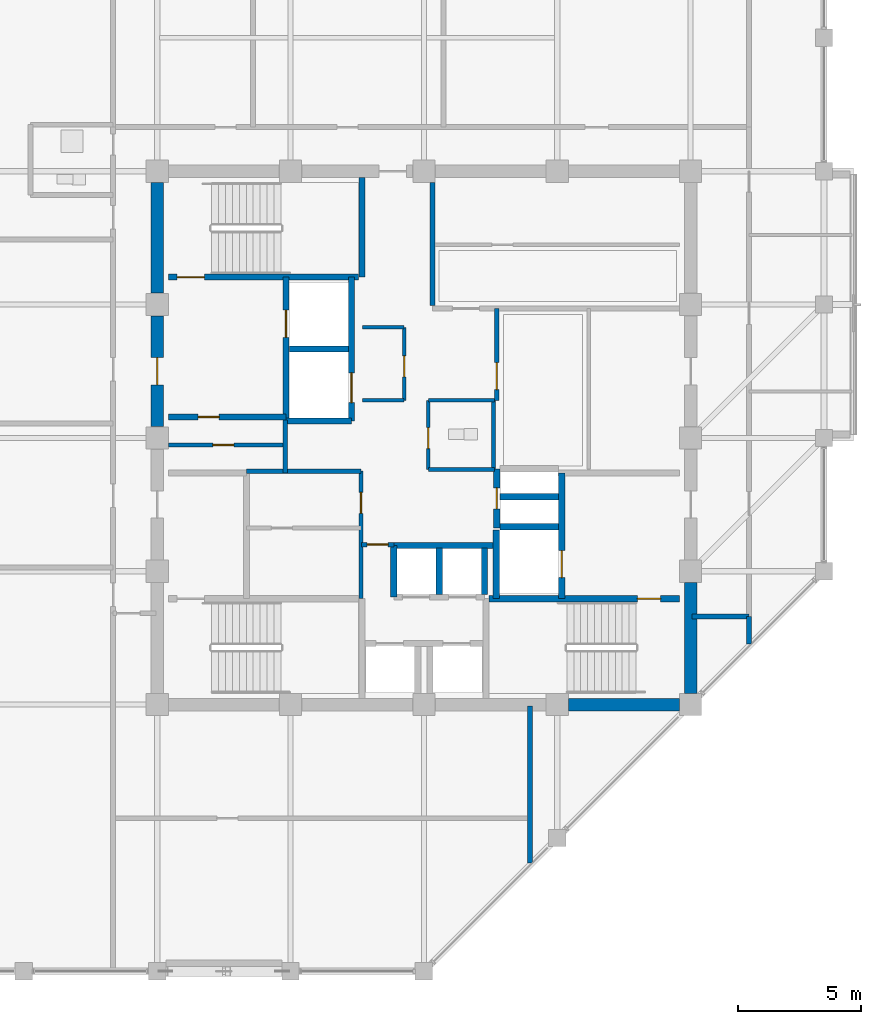
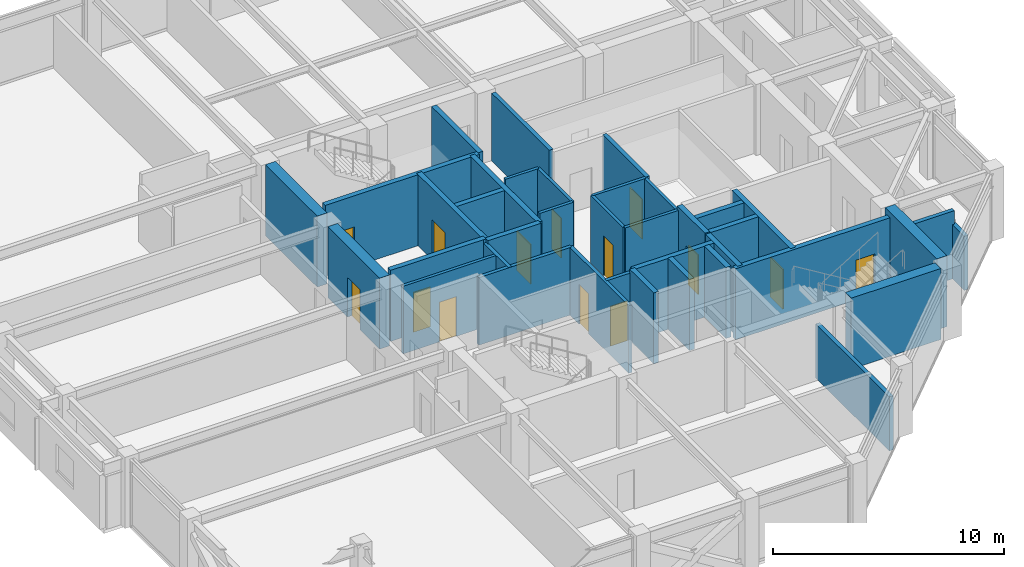
# One storey, part 24 of 29: 38 walls, 14 doors, 14 openings.
"""IFC4 building model written with IfcOpenShell, lengths in metres."""

from ifc_helpers import new_model, si_unit, direction, frame, frame_2d, origin, place, context, subcontext, project, spatial, rectangle, extrude, material, layer, layer_set, type_object, element, fill, save


model = new_model("IFC4")

# Units and contexts
model_context = context("Model", 3, precision=1e-05, world=origin(), true_north=direction((0.0, 1.0)))
body_context = subcontext(model_context, "Body", "Model", "MODEL_VIEW")
ifc_project = project(units=[si_unit("LENGTHUNIT", "METRE"), si_unit("AREAUNIT", "SQUARE_METRE"), si_unit("VOLUMEUNIT", "CUBIC_METRE"), si_unit("PLANEANGLEUNIT", "RADIAN"), si_unit("MASSUNIT", "GRAM", prefix="KILO")], contexts=[model_context])

# Site, building, storey
site_placement = place(None, origin())
site = spatial("IfcSite", under=ifc_project, at=site_placement, CompositionType="ELEMENT")
building_placement = place(site_placement, origin())
building = spatial("IfcBuilding", under=site, at=building_placement, Name="Surkhivell Harbour Commons", CompositionType="ELEMENT")
storey_placement = place(building_placement, frame((0.0, 0.0, 277.5)))
storey = spatial("IfcBuildingStorey", under=building, at=storey_placement, Name="L72", CompositionType="ELEMENT", Elevation=277.5)

# Wall
ifc_material_1 = material(Name="Concrete C50/60", Category="concrete")
ifc_layer_1 = layer(ifc_material_1, 0.5)
ifc_layer_set_1 = layer_set([ifc_layer_1], Name="Concrete C50/60")
wall_type_1 = type_object("IfcWallType", Name="WAL-CORE-500", PredefinedType="SHEAR", material=ifc_layer_set_1)
wall_1_placement = place(storey_placement, frame((10.800048828125, -10.340087890625, 0.0), z_axis=(0.0, 0.0, 1.0), x_axis=(0.0, 1.0, 0.0)))
element("IfcWall", 1, at=wall_1_placement, inside=storey, type_object=wall_type_1, Name="L72 Core Shear Wall East 1", PredefinedType="SHEAR", context=body_context, shape_type="SweptSolid", body=[
    extrude(rectangle(XDim=4.47998046875, YDim=0.5, at=frame_2d((2.239990234375, 0.0))), origin(), (0.0, 0.0, 1.0), 3.75),
])

# Wall, opening, door
wall_2_placement = place(storey_placement, frame((-10.800048828125, 0.4599609375, 0.0), z_axis=(0.0, 0.0, 1.0), x_axis=(0.0, 1.0, 0.0)))
wall_2 = element("IfcWall", 2, at=wall_2_placement, inside=storey, type_object=wall_type_1, Name="L72 Core Shear Wall West 3", PredefinedType="SHEAR", context=body_context, shape_type="SweptSolid", body=[
    extrude(rectangle(XDim=4.47998046875, YDim=0.5, at=frame_2d((2.239990234375, 0.0))), origin(), (0.0, 0.0, 1.0), 3.75),
])
opening_1_placement = place(wall_2_placement, frame((1.68994140625, 0.0, 0.0)))
opening_1 = element("IfcOpeningElement", 3, at=opening_1_placement, cuts=wall_2, Name="Opening ID-1", PredefinedType="OPENING", context=body_context, shape_type="SweptSolid", body=[
    extrude(rectangle(XDim=1.10009765625, YDim=2.10009765625, at=frame_2d((0.550048828125, 1.050048828125))), frame((0.0, 0.260009765625, 0.0), z_axis=(0.0, -1.0, 0.0), x_axis=(1.0, 0.0, 0.0)), (0.0, 0.0, 1.0), 0.52001953125),
])
ifc_material_2 = material(Name="Hardwood-veneered fire-rated door leaf", Category="wood")
door_type_1 = type_object("IfcDoorType", Name="DOR-FD120-1100", OperationType="NOTDEFINED", PredefinedType="DOOR", material=ifc_material_2)
door_1_placement = place(opening_1_placement, origin())
door_1 = element("IfcDoor", 4, at=door_1_placement, inside=storey, type_object=door_type_1, Name="L72 Firefighting Lobby 1 Corridor Door", OperationType="SINGLE_SWING_LEFT", OverallHeight=2.10009765625, OverallWidth=1.10009765625, PredefinedType="DOOR", context=body_context, shape_type="SweptSolid", body=[
    extrude(rectangle(XDim=1.10009765625, YDim=2.10009765625, at=frame_2d((0.550048828125, 1.050048828125))), frame((0.0, 0.02490234375, 0.0), z_axis=(0.0, -1.0, 0.0), x_axis=(1.0, 0.0, 0.0)), (0.0, 0.0, 1.0), 0.050048828125),
])
fill(opening_1, door_1)

# Walls
for number, where, z_axis, x_axis, name in (
    (5, (5.860107421875, -10.800048828125, 0.0), (0.0, 0.0, 1.0), (1.0, 0.0, 0.0), "L72 Core Shear Wall South 4"),
    (6, (-10.800048828125, 5.860107421875, 0.0), (0.0, 0.0, 1.0), (0.0, 1.0, 0.0), "L72 Core Shear Wall West 4"),
):
    element("IfcWall", number, at=place(storey_placement, frame(where, z_axis=z_axis, x_axis=x_axis)), inside=storey, type_object=wall_type_1, Name=name, PredefinedType="SHEAR", context=body_context, shape_type="SweptSolid", body=[
        extrude(rectangle(XDim=4.47998046875, YDim=0.5, at=frame_2d((2.239990234375, 0.0))), origin(), (0.0, 0.0, 1.0), 3.75),
    ])
ifc_material_3 = material(Name="Twin-stud acoustic fireboard partition", Category="other")
ifc_layer_2 = layer(ifc_material_3, 0.14990234375)
ifc_layer_set_2 = layer_set([ifc_layer_2], Name="Twin-stud acoustic fireboard partition")
wall_type_2 = type_object("IfcWallType", Name="WAL-INT-150", PredefinedType="PARTITIONING", material=ifc_layer_set_2)
wall_3_placement = place(storey_placement, frame((2.820068359375, -1.25, 0.0), z_axis=(0.0, 0.0, 1.0), x_axis=(0.0, 1.0, 0.0)))
element("IfcWall", 7, at=wall_3_placement, inside=storey, type_object=wall_type_2, Name="L72 Core WC East Wall", PredefinedType="PARTITIONING", context=body_context, shape_type="SweptSolid", body=[
    extrude(rectangle(XDim=2.77001953125, YDim=0.14990234375, at=frame_2d((1.385009765625, 0.0))), origin(), (0.0, 0.0, 1.0), 3.570068359375),
])
for number, where, z_axis, x_axis, name in (
    (8, (0.179931640625, 1.52001953125, 0.0), (0.0, 0.0, 1.0), (1.0, 0.0, 0.0), "L72 Core WC North Wall"),
    (9, (0.179931640625, -1.280029296875, 0.0), (0.0, 0.0, 1.0), (1.0, 0.0, 0.0), "L72 Core WC South Wall"),
):
    element("IfcWall", number, at=place(storey_placement, frame(where, z_axis=z_axis, x_axis=x_axis)), inside=storey, type_object=wall_type_2, Name=name, PredefinedType="PARTITIONING", context=body_context, shape_type="SweptSolid", body=[
        extrude(rectangle(XDim=2.670166015625, YDim=0.14990234375, at=frame_2d((1.3349609375, 0.0))), origin(), (0.0, 0.0, 1.0), 3.570068359375),
    ])

# Wall, opening, door
wall_4_placement = place(storey_placement, frame((0.179931640625, -1.280029296875, 0.0), z_axis=(0.0, 0.0, 1.0), x_axis=(0.0, 1.0, 0.0)))
wall_4 = element("IfcWall", 10, at=wall_4_placement, inside=storey, type_object=wall_type_2, Name="L72 Core Accessible WC West Wall", PredefinedType="PARTITIONING", context=body_context, shape_type="SweptSolid", body=[
    extrude(rectangle(XDim=2.800048828125, YDim=0.14990234375, at=frame_2d((1.39990234375, 0.0))), origin(), (0.0, 0.0, 1.0), 3.570068359375),
])
opening_2_placement = place(wall_4_placement, frame((0.85009765625, 0.0, 0.0)))
opening_2 = element("IfcOpeningElement", 11, at=opening_2_placement, cuts=wall_4, Name="Opening ID-6", PredefinedType="OPENING", context=body_context, shape_type="SweptSolid", body=[
    extrude(rectangle(XDim=0.85009765625, YDim=2.10009765625, at=frame_2d((0.425048828125, 1.050048828125))), frame((0.0, 0.0849609375, 0.0), z_axis=(0.0, -1.0, 0.0), x_axis=(1.0, 0.0, 0.0)), (0.0, 0.0, 1.0), 0.169921875),
])
door_type_2 = type_object("IfcDoorType", Name="DOR-FD30-850", OperationType="NOTDEFINED", PredefinedType="DOOR", material=ifc_material_2)
door_2_placement = place(opening_2_placement, origin())
door_2 = element("IfcDoor", 12, at=door_2_placement, inside=storey, type_object=door_type_2, Name="L72 Floor Accessible WC Door", OperationType="SINGLE_SWING_RIGHT", OverallHeight=2.10009765625, OverallWidth=0.85009765625, PredefinedType="DOOR", context=body_context, shape_type="SweptSolid", body=[
    extrude(rectangle(XDim=0.85009765625, YDim=2.10009765625, at=frame_2d((0.425048828125, 1.050048828125))), frame((0.0, 0.02490234375, 0.0), z_axis=(0.0, -1.0, 0.0), x_axis=(1.0, 0.0, 0.0)), (0.0, 0.0, 1.0), 0.050048828125),
])
fill(opening_2, door_2)

wall_5_placement = place(storey_placement, frame((-10.340087890625, -0.2900390625, 0.0), z_axis=(0.0, 0.0, 1.0), x_axis=(1.0, 0.0, 0.0)))
wall_5 = element("IfcWall", 13, at=wall_5_placement, inside=storey, type_object=wall_type_2, Name="L72 West Core Horizontal Cut", PredefinedType="PARTITIONING", context=body_context, shape_type="SweptSolid", body=[
    extrude(rectangle(XDim=4.719970703125, YDim=0.14990234375, at=frame_2d((2.35986328125, 0.0))), origin(), (0.0, 0.0, 1.0), 3.570068359375),
])
opening_3_placement = place(wall_5_placement, frame((1.800048828125, 0.0, 0.0)))
opening_3 = element("IfcOpeningElement", 14, at=opening_3_placement, cuts=wall_5, Name="Opening ID-6", PredefinedType="OPENING", context=body_context, shape_type="SweptSolid", body=[
    extrude(rectangle(XDim=0.85009765625, YDim=2.10009765625, at=frame_2d((0.425048828125, 1.050048828125))), frame((0.0, 0.0849609375, 0.0), z_axis=(0.0, -1.0, 0.0), x_axis=(1.0, 0.0, 0.0)), (0.0, 0.0, 1.0), 0.169921875),
])
door_3_placement = place(opening_3_placement, origin())
door_3 = element("IfcDoor", 15, at=door_3_placement, inside=storey, type_object=door_type_2, Name="L72 West Music Pod Door", OperationType="SINGLE_SWING_RIGHT", OverallHeight=2.10009765625, OverallWidth=0.85009765625, PredefinedType="DOOR", context=body_context, shape_type="SweptSolid", body=[
    extrude(rectangle(XDim=0.85009765625, YDim=2.10009765625, at=frame_2d((0.425048828125, 1.050048828125))), frame((0.0, 0.02490234375, 0.0), z_axis=(0.0, -1.0, 0.0), x_axis=(1.0, 0.0, 0.0)), (0.0, 0.0, 1.0), 0.050048828125),
])
fill(opening_3, door_3)

wall_6_placement = place(storey_placement, frame((-0.800048828125, 1.52001953125, 0.0), z_axis=(0.0, 0.0, 1.0), x_axis=(0.0, 1.0, 0.0)))
wall_6 = element("IfcWall", 16, at=wall_6_placement, inside=storey, type_object=wall_type_2, Name="L72 Core Seminar East Wall", PredefinedType="PARTITIONING", context=body_context, shape_type="SweptSolid", body=[
    extrude(rectangle(XDim=2.9599609375, YDim=0.14990234375, at=frame_2d((1.47998046875, 0.0))), origin(), (0.0, 0.0, 1.0), 3.570068359375),
])
opening_4_placement = place(wall_6_placement, frame((0.949951171875, 0.0, 0.0)))
opening_4 = element("IfcOpeningElement", 17, at=opening_4_placement, cuts=wall_6, Name="Opening ID-6", PredefinedType="OPENING", context=body_context, shape_type="SweptSolid", body=[
    extrude(rectangle(XDim=0.85009765625, YDim=2.10009765625, at=frame_2d((0.425048828125, 1.050048828125))), frame((0.0, 0.0849609375, 0.0), z_axis=(0.0, -1.0, 0.0), x_axis=(1.0, 0.0, 0.0)), (0.0, 0.0, 1.0), 0.169921875),
])
door_4_placement = place(opening_4_placement, origin())
door_4 = element("IfcDoor", 18, at=door_4_placement, inside=storey, type_object=door_type_2, Name="L72 Central Seminar Door", OperationType="SINGLE_SWING_LEFT", OverallHeight=2.10009765625, OverallWidth=0.85009765625, PredefinedType="DOOR", context=body_context, shape_type="SweptSolid", body=[
    extrude(rectangle(XDim=0.85009765625, YDim=2.10009765625, at=frame_2d((0.425048828125, 1.050048828125))), frame((0.0, 0.02490234375, 0.0), z_axis=(0.0, -1.0, 0.0), x_axis=(1.0, 0.0, 0.0)), (0.0, 0.0, 1.0), 0.050048828125),
])
fill(opening_4, door_4)

# Walls
for number, where, z_axis, x_axis, name in (
    (19, (-2.47998046875, 4.47998046875, 0.0), (0.0, 0.0, 1.0), (1.0, 0.0, 0.0), "L72 Core Seminar North Wall"),
    (20, (-2.47998046875, 1.52001953125, 0.0), (0.0, 0.0, 1.0), (1.0, 0.0, 0.0), "L72 Core Seminar South Wall"),
):
    element("IfcWall", number, at=place(storey_placement, frame(where, z_axis=z_axis, x_axis=x_axis)), inside=storey, type_object=wall_type_2, Name=name, PredefinedType="PARTITIONING", context=body_context, shape_type="SweptSolid", body=[
        extrude(rectangle(XDim=1.679931640625, YDim=0.14990234375, at=frame_2d((0.83984375, 0.0))), origin(), (0.0, 0.0, 1.0), 3.570068359375),
    ])

# Wall, opening, door
ifc_material_4 = material(Name="High-density acoustic blockwork fire partition", Category="masonry")
ifc_layer_3 = layer(ifc_material_4, 0.175048828125)
ifc_layer_set_3 = layer_set([ifc_layer_3], Name="High-density acoustic blockwork fire partition")
wall_type_3 = type_object("IfcWallType", Name="WAL-INT-175", PredefinedType="PARTITIONING", material=ifc_layer_set_3)
wall_7_placement = place(storey_placement, frame((-2.550048828125, -6.510009765625, 0.0), z_axis=(0.0, 0.0, 1.0), x_axis=(0.0, 1.0, 0.0)))
wall_7 = element("IfcWall", 21, at=wall_7_placement, inside=storey, type_object=wall_type_3, Name="L72 Core Service Bay East Wall", PredefinedType="PARTITIONING", context=body_context, shape_type="SweptSolid", body=[
    extrude(rectangle(XDim=5.159912109375, YDim=0.175048828125, at=frame_2d((2.580078125, 0.0))), origin(), (0.0, 0.0, 1.0), 3.570068359375),
])
opening_5_placement = place(wall_7_placement, frame((3.449951171875, 0.0, 0.0)))
opening_5 = element("IfcOpeningElement", 22, at=opening_5_placement, cuts=wall_7, Name="Opening ID-6", PredefinedType="OPENING", context=body_context, shape_type="SweptSolid", body=[
    extrude(rectangle(XDim=0.85009765625, YDim=2.10009765625, at=frame_2d((0.425048828125, 1.050048828125))), frame((0.0, 0.097412109375, 0.0), z_axis=(0.0, -1.0, 0.0), x_axis=(1.0, 0.0, 0.0)), (0.0, 0.0, 1.0), 0.195068359375),
])
door_5_placement = place(opening_5_placement, origin())
door_5 = element("IfcDoor", 23, at=door_5_placement, inside=storey, type_object=door_type_2, Name="L72 Core Seminar Door", OperationType="SINGLE_SWING_LEFT", OverallHeight=2.10009765625, OverallWidth=0.85009765625, PredefinedType="DOOR", context=body_context, shape_type="SweptSolid", body=[
    extrude(rectangle(XDim=0.85009765625, YDim=2.10009765625, at=frame_2d((0.425048828125, 1.050048828125))), frame((0.0, 0.02490234375, 0.0), z_axis=(0.0, -1.0, 0.0), x_axis=(1.0, 0.0, 0.0)), (0.0, 0.0, 1.0), 0.050048828125),
])
fill(opening_5, door_5)

# Walls
wall_8_placement = place(storey_placement, frame((-7.179931640625, -1.35009765625, 0.0), z_axis=(0.0, 0.0, 1.0), x_axis=(1.0, 0.0, 0.0)))
element("IfcWall", 24, at=wall_8_placement, inside=storey, type_object=wall_type_3, Name="L72 Core Service Bay North Wall", PredefinedType="PARTITIONING", context=body_context, shape_type="SweptSolid", body=[
    extrude(rectangle(XDim=4.6298828125, YDim=0.175048828125, at=frame_2d((2.31494140625, 0.0))), origin(), (0.0, 0.0, 1.0), 3.570068359375),
])
wall_9_placement = place(storey_placement, frame((-5.6201171875, -1.419921875, 0.0), z_axis=(0.0, 0.0, 1.0), x_axis=(0.0, 1.0, 0.0)))
element("IfcWall", 25, at=wall_9_placement, inside=storey, type_object=wall_type_3, Name="L72 West Core Bay East Wall", PredefinedType="PARTITIONING", context=body_context, shape_type="SweptSolid", body=[
    extrude(rectangle(XDim=2.139892578125, YDim=0.175048828125, at=frame_2d((1.06982421875, 0.0))), origin(), (0.0, 0.0, 1.0), 3.570068359375),
])

# Wall, opening, door
wall_10_placement = place(storey_placement, frame((-2.52001953125, -4.320068359375, 0.0), z_axis=(0.0, 0.0, 1.0), x_axis=(1.0, 0.0, 0.0)))
wall_10 = element("IfcWall", 26, at=wall_10_placement, inside=storey, type_object=wall_type_3, Name="L72 High-Rise Lobby North Portal Wall", PredefinedType="PARTITIONING", context=body_context, shape_type="SweptSolid", body=[
    extrude(rectangle(XDim=1.300048828125, YDim=0.175048828125, at=frame_2d((0.64990234375, 0.0))), origin(), (0.0, 0.0, 1.0), 3.570068359375),
])
opening_6_placement = place(wall_10_placement, frame((0.219970703125, 0.0, 0.0)))
opening_6 = element("IfcOpeningElement", 27, at=opening_6_placement, cuts=wall_10, Name="Opening ID-6", PredefinedType="OPENING", context=body_context, shape_type="SweptSolid", body=[
    extrude(rectangle(XDim=0.85009765625, YDim=2.10009765625, at=frame_2d((0.425048828125, 1.050048828125))), frame((0.0, 0.097412109375, 0.0), z_axis=(0.0, -1.0, 0.0), x_axis=(1.0, 0.0, 0.0)), (0.0, 0.0, 1.0), 0.195068359375),
])
door_6_placement = place(opening_6_placement, origin())
door_6 = element("IfcDoor", 28, at=door_6_placement, inside=storey, type_object=door_type_2, Name="L72 High-Rise Lift Lobby North Door", OperationType="SINGLE_SWING_LEFT", OverallHeight=2.10009765625, OverallWidth=0.85009765625, PredefinedType="DOOR", context=body_context, shape_type="SweptSolid", body=[
    extrude(rectangle(XDim=0.85009765625, YDim=2.10009765625, at=frame_2d((0.425048828125, 1.050048828125))), frame((0.0, 0.02490234375, 0.0), z_axis=(0.0, -1.0, 0.0), x_axis=(1.0, 0.0, 0.0)), (0.0, 0.0, 1.0), 0.050048828125),
])
fill(opening_6, door_6)

# Walls
ifc_material_5 = material(Name="Autoclaved aerated concrete blockwork and fire plaster", Category="masonry")
ifc_layer_4 = layer(ifc_material_5, 0.199951171875)
ifc_layer_set_4 = layer_set([ifc_layer_4], Name="Autoclaved aerated concrete blockwork and fire plaster")
wall_type_4 = type_object("IfcWallType", Name="WAL-INT-200", PredefinedType="PARTITIONING", material=ifc_layer_set_4)
wall_11_placement = place(storey_placement, frame((0.35009765625, 5.360107421875, 0.0), z_axis=(0.0, 0.0, 1.0), x_axis=(0.0, 1.0, 0.0)))
element("IfcWall", 29, at=wall_11_placement, inside=storey, type_object=wall_type_4, Name="L72 Reclaimed Core North Bay West Wall", PredefinedType="PARTITIONING", context=body_context, shape_type="SweptSolid", body=[
    extrude(rectangle(XDim=4.97998046875, YDim=0.199951171875, at=frame_2d((2.489990234375, 0.0))), origin(), (0.0, 0.0, 1.0), 3.570068359375),
])
wall_12_placement = place(storey_placement, frame((13.159912109375, -8.355224609375, 0.0), z_axis=(0.0, 0.0, 1.0), x_axis=(0.0, 1.0, 0.0)))
element("IfcWall", 30, at=wall_12_placement, inside=storey, type_object=wall_type_4, Name="L72 East Wing South Closure Wall", PredefinedType="PARTITIONING", context=body_context, shape_type="SweptSolid", body=[
    extrude(rectangle(XDim=1.115234375, YDim=0.199951171875, at=frame_2d((0.5576171875, 0.0))), origin(), (0.0, 0.0, 1.0), 2.85693359375),
])
wall_13_placement = place(storey_placement, frame((10.85009765625, -7.239990234375, 0.0), z_axis=(0.0, 0.0, 1.0), x_axis=(1.0, 0.0, 0.0)))
element("IfcWall", 31, at=wall_13_placement, inside=storey, type_object=wall_type_4, Name="L72 East Corridor South Closure Wall", PredefinedType="PARTITIONING", context=body_context, shape_type="SweptSolid", body=[
    extrude(rectangle(XDim=2.309814453125, YDim=0.199951171875, at=frame_2d((1.15478515625, 0.0))), origin(), (0.0, 0.0, 1.0), 3.570068359375),
])
wall_14_placement = place(storey_placement, frame((4.300048828125, -17.215087890625, 0.0), z_axis=(0.0, 0.0, 1.0), x_axis=(0.0, 1.0, 0.0)))
element("IfcWall", 32, at=wall_14_placement, inside=storey, type_object=wall_type_4, Name="L72 South Hall East Wall", PredefinedType="PARTITIONING", context=body_context, shape_type="SweptSolid", body=[
    extrude(rectangle(XDim=6.364990234375, YDim=0.199951171875, at=frame_2d((3.1826171875, 0.0))), origin(), (0.0, 0.0, 1.0), 2.85693359375),
])

# Wall, opening, door
wall_15_placement = place(storey_placement, frame((2.949951171875, 1.52001953125, 0.0), z_axis=(0.0, 0.0, 1.0), x_axis=(0.0, 1.0, 0.0)))
wall_15 = element("IfcWall", 33, at=wall_15_placement, inside=storey, type_object=wall_type_4, Name="L72 Reclaimed East Core West Wall", PredefinedType="PARTITIONING", context=body_context, shape_type="SweptSolid", body=[
    extrude(rectangle(XDim=3.719970703125, YDim=0.199951171875, at=frame_2d((1.85986328125, 0.0))), origin(), (0.0, 0.0, 1.0), 3.570068359375),
])
opening_7_placement = place(wall_15_placement, frame((0.429931640625, 0.0, 0.0)))
opening_7 = element("IfcOpeningElement", 34, at=opening_7_placement, cuts=wall_15, Name="Opening ID-2", PredefinedType="OPENING", context=body_context, shape_type="SweptSolid", body=[
    extrude(rectangle(XDim=1.10009765625, YDim=2.10009765625, at=frame_2d((0.550048828125, 1.050048828125))), frame((0.0, 0.10986328125, 0.0), z_axis=(0.0, -1.0, 0.0), x_axis=(1.0, 0.0, 0.0)), (0.0, 0.0, 1.0), 0.219970703125),
])
door_type_3 = type_object("IfcDoorType", Name="DOR-FD60-1100", OperationType="NOTDEFINED", PredefinedType="DOOR", material=ifc_material_2)
door_7_placement = place(opening_7_placement, origin())
door_7 = element("IfcDoor", 35, at=door_7_placement, inside=storey, type_object=door_type_3, Name="L72 Reading Gallery Door", OperationType="SINGLE_SWING_LEFT", OverallHeight=2.10009765625, OverallWidth=1.10009765625, PredefinedType="DOOR", context=body_context, shape_type="SweptSolid", body=[
    extrude(rectangle(XDim=1.10009765625, YDim=2.10009765625, at=frame_2d((0.550048828125, 1.050048828125))), frame((0.0, 0.02490234375, 0.0), z_axis=(0.0, -1.0, 0.0), x_axis=(1.0, 0.0, 0.0)), (0.0, 0.0, 1.0), 0.050048828125),
])
fill(opening_7, door_7)

ifc_layer_5 = layer(ifc_material_1, 0.25)
ifc_layer_set_5 = layer_set([ifc_layer_5], Name="Concrete C50/60")
wall_type_5 = type_object("IfcWallType", Name="WAL-SHAFT-250", PredefinedType="SHEAR", material=ifc_layer_set_5)
wall_16_placement = place(storey_placement, frame((-5.580078125, 0.719970703125, 0.0), z_axis=(0.0, 0.0, 1.0), x_axis=(0.0, 1.0, 0.0)))
wall_16 = element("IfcWall", 36, at=wall_16_placement, inside=storey, type_object=wall_type_5, Name="L72 Firefighting Lobby 1 East Shaft Wall", PredefinedType="SHEAR", context=body_context, shape_type="SweptSolid", body=[
    extrude(rectangle(XDim=5.7900390625, YDim=0.25, at=frame_2d((2.89501953125, 0.0))), origin(), (0.0, 0.0, 1.0), 3.75),
])
opening_8_placement = place(wall_16_placement, frame((3.35009765625, 0.0, 0.0)))
opening_8 = element("IfcOpeningElement", 37, at=opening_8_placement, cuts=wall_16, Name="Opening LD-1", PredefinedType="OPENING", context=body_context, shape_type="SweptSolid", body=[
    extrude(rectangle(XDim=1.10009765625, YDim=2.10009765625, at=frame_2d((0.550048828125, 1.050048828125))), frame((0.0, 0.135009765625, 0.0), z_axis=(0.0, -1.0, 0.0), x_axis=(1.0, 0.0, 0.0)), (0.0, 0.0, 1.0), 0.27001953125),
])
ifc_material_6 = material(Name="Brushed stainless steel S355", Category="steel")
door_type_4 = type_object("IfcDoorType", Name="DOR-LD-1100", OperationType="SLIDING_TO_LEFT", PredefinedType="DOOR", material=ifc_material_6)
door_8_placement = place(opening_8_placement, origin())
door_8 = element("IfcDoor", 38, at=door_8_placement, inside=storey, type_object=door_type_4, Name="L72 Lift Landing Door LD-FFL1", OperationType="SLIDING_TO_LEFT", OverallHeight=2.10009765625, OverallWidth=1.10009765625, PredefinedType="DOOR", context=body_context, shape_type="SweptSolid", body=[
    extrude(rectangle(XDim=1.10009765625, YDim=2.10009765625, at=frame_2d((0.550048828125, 1.050048828125))), frame((0.0, 0.02490234375, 0.0), z_axis=(0.0, -1.0, 0.0), x_axis=(1.0, 0.0, 0.0)), (0.0, 0.0, 1.0), 0.050048828125),
])
fill(opening_8, door_8)

wall_17_placement = place(storey_placement, frame((-10.340087890625, 0.85009765625, 0.0), z_axis=(0.0, 0.0, 1.0), x_axis=(1.0, 0.0, 0.0)))
wall_17 = element("IfcWall", 39, at=wall_17_placement, inside=storey, type_object=wall_type_5, Name="L72 Firefighting Lobby 1 South Wall", PredefinedType="SHEAR", context=body_context, shape_type="SweptSolid", body=[
    extrude(rectangle(XDim=4.760009765625, YDim=0.25, at=frame_2d((2.3798828125, 0.0))), origin(), (0.0, 0.0, 1.0), 3.75),
])
opening_9_placement = place(wall_17_placement, frame((1.199951171875, 0.0, 0.0)))
opening_9 = element("IfcOpeningElement", 40, at=opening_9_placement, cuts=wall_17, Name="Opening ID-6", PredefinedType="OPENING", context=body_context, shape_type="SweptSolid", body=[
    extrude(rectangle(XDim=0.85009765625, YDim=2.10009765625, at=frame_2d((0.425048828125, 1.050048828125))), frame((0.0, 0.135009765625, 0.0), z_axis=(0.0, -1.0, 0.0), x_axis=(1.0, 0.0, 0.0)), (0.0, 0.0, 1.0), 0.27001953125),
])
door_9_placement = place(opening_9_placement, origin())
door_9 = element("IfcDoor", 41, at=door_9_placement, inside=storey, type_object=door_type_2, Name="L72 West Reading Alcove Door", OperationType="SINGLE_SWING_LEFT", OverallHeight=2.10009765625, OverallWidth=0.85009765625, PredefinedType="DOOR", context=body_context, shape_type="SweptSolid", body=[
    extrude(rectangle(XDim=0.85009765625, YDim=2.10009765625, at=frame_2d((0.425048828125, 1.050048828125))), frame((0.0, 0.02490234375, 0.0), z_axis=(0.0, -1.0, 0.0), x_axis=(1.0, 0.0, 0.0)), (0.0, 0.0, 1.0), 0.050048828125),
])
fill(opening_9, door_9)

# Walls
wall_18_placement = place(storey_placement, frame((2.929931640625, -6.510009765625, 0.0), z_axis=(0.0, 0.0, 1.0), x_axis=(0.0, 1.0, 0.0)))
element("IfcWall", 42, at=wall_18_placement, inside=storey, type_object=wall_type_5, Name="L72 FFL2 West Shaft Wall", PredefinedType="SHEAR", context=body_context, shape_type="SweptSolid", body=[
    extrude(rectangle(XDim=2.7900390625, YDim=0.25, at=frame_2d((1.39501953125, 0.0))), origin(), (0.0, 0.0, 1.0), 3.75),
])
wall_19_placement = place(storey_placement, frame((3.080078125, -3.60009765625, 0.0), z_axis=(0.0, 0.0, 1.0), x_axis=(1.0, 0.0, 0.0)))
element("IfcWall", 43, at=wall_19_placement, inside=storey, type_object=wall_type_5, Name="L72 FFL2 North Shaft Wall", PredefinedType="SHEAR", context=body_context, shape_type="SweptSolid", body=[
    extrude(rectangle(XDim=2.369873046875, YDim=0.25, at=frame_2d((1.18505859375, 0.0))), origin(), (0.0, 0.0, 1.0), 3.75),
])

# Wall, opening, door
wall_20_placement = place(storey_placement, frame((5.580078125, -6.510009765625, 0.0), z_axis=(0.0, 0.0, 1.0), x_axis=(0.0, 1.0, 0.0)))
wall_20 = element("IfcWall", 44, at=wall_20_placement, inside=storey, type_object=wall_type_5, Name="L72 Firefighting Lobby 2 West Shaft Wall", PredefinedType="SHEAR", context=body_context, shape_type="SweptSolid", body=[
    extrude(rectangle(XDim=5.090087890625, YDim=0.25, at=frame_2d((2.544921875, 0.0))), origin(), (0.0, 0.0, 1.0), 3.75),
])
opening_10_placement = place(wall_20_placement, frame((0.85009765625, 0.0, 0.0)))
opening_10 = element("IfcOpeningElement", 45, at=opening_10_placement, cuts=wall_20, Name="Opening LD-1", PredefinedType="OPENING", context=body_context, shape_type="SweptSolid", body=[
    extrude(rectangle(XDim=1.10009765625, YDim=2.10009765625, at=frame_2d((0.550048828125, 1.050048828125))), frame((0.0, 0.135009765625, 0.0), z_axis=(0.0, -1.0, 0.0), x_axis=(1.0, 0.0, 0.0)), (0.0, 0.0, 1.0), 0.27001953125),
])
door_10_placement = place(opening_10_placement, origin())
door_10 = element("IfcDoor", 46, at=door_10_placement, inside=storey, type_object=door_type_4, Name="L72 Lift Landing Door LD-FFL2", OperationType="SLIDING_TO_RIGHT", OverallHeight=2.10009765625, OverallWidth=1.10009765625, PredefinedType="DOOR", context=body_context, shape_type="SweptSolid", body=[
    extrude(rectangle(XDim=1.10009765625, YDim=2.10009765625, at=frame_2d((0.550048828125, 1.050048828125))), frame((0.0, 0.02490234375, 0.0), z_axis=(0.0, -1.0, 0.0), x_axis=(1.0, 0.0, 0.0)), (0.0, 0.0, 1.0), 0.050048828125),
])
fill(opening_10, door_10)

# Walls
for number, where, z_axis, x_axis, name in (
    (47, (0.6201171875, -6.340087890625, 0.0), (0.0, 0.0, 1.0), (0.0, 1.0, 0.0), "L72 High-Rise Side Wall N"),
    (48, (2.449951171875, -6.340087890625, 0.0), (0.0, 0.0, 1.0), (0.0, 1.0, 0.0), "L72 High-Rise Side Wall N"),
):
    element("IfcWall", number, at=place(storey_placement, frame(where, z_axis=z_axis, x_axis=x_axis)), inside=storey, type_object=wall_type_5, Name=name, PredefinedType="SHEAR", context=body_context, shape_type="SweptSolid", body=[
        extrude(rectangle(XDim=1.880126953125, YDim=0.25, at=frame_2d((0.93994140625, 0.0))), origin(), (0.0, 0.0, 1.0), 3.75),
    ])
wall_21_placement = place(storey_placement, frame((-1.219970703125, -6.43994140625, 0.0), z_axis=(0.0, 0.0, 1.0), x_axis=(0.0, 1.0, 0.0)))
element("IfcWall", 49, at=wall_21_placement, inside=storey, type_object=wall_type_5, Name="L72 High-Rise Passage East Shaft Wall", PredefinedType="SHEAR", context=body_context, shape_type="SweptSolid", body=[
    extrude(rectangle(XDim=2.079833984375, YDim=0.25, at=frame_2d((1.0400390625, 0.0))), origin(), (0.0, 0.0, 1.0), 3.75),
])
wall_22_placement = place(storey_placement, frame((-1.219970703125, -4.360107421875, 0.0), z_axis=(0.0, 0.0, 1.0), x_axis=(1.0, 0.0, 0.0)))
element("IfcWall", 50, at=wall_22_placement, inside=storey, type_object=wall_type_5, Name="L72 High-Rise North Back Shaft Wall", PredefinedType="SHEAR", context=body_context, shape_type="SweptSolid", body=[
    extrude(rectangle(XDim=4.030029296875, YDim=0.25, at=frame_2d((2.01513671875, 0.0))), origin(), (0.0, 0.0, 1.0), 3.75),
])
wall_23_placement = place(storey_placement, frame((3.080078125, -2.3798828125, 0.0), z_axis=(0.0, 0.0, 1.0), x_axis=(1.0, 0.0, 0.0)))
element("IfcWall", 51, at=wall_23_placement, inside=storey, type_object=wall_type_5, Name="L72 Riser Divider Wall", PredefinedType="SHEAR", context=body_context, shape_type="SweptSolid", body=[
    extrude(rectangle(XDim=2.369873046875, YDim=0.25, at=frame_2d((1.18505859375, 0.0))), origin(), (0.0, 0.0, 1.0), 3.75),
])

# Wall, opening, door
wall_24_placement = place(storey_placement, frame((2.949951171875, -3.64990234375, 0.0), z_axis=(0.0, 0.0, 1.0), x_axis=(0.0, 1.0, 0.0)))
wall_24 = element("IfcWall", 52, at=wall_24_placement, inside=storey, type_object=wall_type_5, Name="L72 Riser Shaft West Wall", PredefinedType="SHEAR", context=body_context, shape_type="SweptSolid", body=[
    extrude(rectangle(XDim=2.39990234375, YDim=0.25, at=frame_2d((1.199951171875, 0.0))), origin(), (0.0, 0.0, 1.0), 3.75),
])
opening_11_placement = place(wall_24_placement, frame((0.77490234375, 0.0, 0.0)))
opening_11 = element("IfcOpeningElement", 53, at=opening_11_placement, cuts=wall_24, Name="Opening ID-6", PredefinedType="OPENING", context=body_context, shape_type="SweptSolid", body=[
    extrude(rectangle(XDim=0.85009765625, YDim=2.10009765625, at=frame_2d((0.425048828125, 1.050048828125))), frame((0.0, 0.135009765625, 0.0), z_axis=(0.0, -1.0, 0.0), x_axis=(1.0, 0.0, 0.0)), (0.0, 0.0, 1.0), 0.27001953125),
])
door_11_placement = place(opening_11_placement, origin())
door_11 = element("IfcDoor", 54, at=door_11_placement, inside=storey, type_object=door_type_2, Name="L72 Electrical Riser Access Door", OperationType="SINGLE_SWING_LEFT", OverallHeight=2.10009765625, OverallWidth=0.85009765625, PredefinedType="DOOR", context=body_context, shape_type="SweptSolid", body=[
    extrude(rectangle(XDim=0.85009765625, YDim=2.10009765625, at=frame_2d((0.425048828125, 1.050048828125))), frame((0.0, 0.02490234375, 0.0), z_axis=(0.0, -1.0, 0.0), x_axis=(1.0, 0.0, 0.0)), (0.0, 0.0, 1.0), 0.050048828125),
])
fill(opening_11, door_11)

# Wall
wall_25_placement = place(storey_placement, frame((-2.510009765625, 6.510009765625, 0.0), z_axis=(0.0, 0.0, 1.0), x_axis=(0.0, 1.0, 0.0)))
element("IfcWall", 55, at=wall_25_placement, inside=storey, type_object=wall_type_5, Name="L72 Stair ST1 East Shear Wall", PredefinedType="SHEAR", context=body_context, shape_type="SweptSolid", body=[
    extrude(rectangle(XDim=4.0400390625, YDim=0.25, at=frame_2d((2.02001953125, 0.0))), origin(), (0.0, 0.0, 1.0), 3.75),
])

# Wall, opening, door
wall_26_placement = place(storey_placement, frame((-10.340087890625, 6.510009765625, 0.0), z_axis=(0.0, 0.0, 1.0), x_axis=(1.0, 0.0, 0.0)))
wall_26 = element("IfcWall", 56, at=wall_26_placement, inside=storey, type_object=wall_type_5, Name="L72 Stair ST1 South Shear Wall", PredefinedType="SHEAR", context=body_context, shape_type="SweptSolid", body=[
    extrude(rectangle(XDim=7.7001953125, YDim=0.25, at=frame_2d((3.85009765625, 0.0))), origin(), (0.0, 0.0, 1.0), 3.75),
])
opening_12_placement = place(wall_26_placement, frame((0.35009765625, 0.0, 0.0)))
opening_12 = element("IfcOpeningElement", 57, at=opening_12_placement, cuts=wall_26, Name="Opening ID-2", PredefinedType="OPENING", context=body_context, shape_type="SweptSolid", body=[
    extrude(rectangle(XDim=1.10009765625, YDim=2.10009765625, at=frame_2d((0.550048828125, 1.050048828125))), frame((0.0, 0.135009765625, 0.0), z_axis=(0.0, -1.0, 0.0), x_axis=(1.0, 0.0, 0.0)), (0.0, 0.0, 1.0), 0.27001953125),
])
door_12_placement = place(opening_12_placement, origin())
door_12 = element("IfcDoor", 58, at=door_12_placement, inside=storey, type_object=door_type_3, Name="L72 Stair ST1 Exit Door", OperationType="SINGLE_SWING_LEFT", OverallHeight=2.10009765625, OverallWidth=1.10009765625, PredefinedType="DOOR", context=body_context, shape_type="SweptSolid", body=[
    extrude(rectangle(XDim=1.10009765625, YDim=2.10009765625, at=frame_2d((0.550048828125, 1.050048828125))), frame((0.0, 0.02490234375, 0.0), z_axis=(0.0, -1.0, 0.0), x_axis=(1.0, 0.0, 0.0)), (0.0, 0.0, 1.0), 0.050048828125),
])
fill(opening_12, door_12)

wall_27_placement = place(storey_placement, frame((2.639892578125, -6.510009765625, 0.0), z_axis=(0.0, 0.0, 1.0), x_axis=(1.0, 0.0, 0.0)))
wall_27 = element("IfcWall", 59, at=wall_27_placement, inside=storey, type_object=wall_type_5, Name="L72 Stair ST2 North Shear Wall", PredefinedType="SHEAR", context=body_context, shape_type="SweptSolid", body=[
    extrude(rectangle(XDim=7.7001953125, YDim=0.25, at=frame_2d((3.85009765625, 0.0))), origin(), (0.0, 0.0, 1.0), 3.75),
])
opening_13_placement = place(wall_27_placement, frame((6.0, 0.0, 0.0)))
opening_13 = element("IfcOpeningElement", 60, at=opening_13_placement, cuts=wall_27, Name="Opening ID-4", PredefinedType="OPENING", context=body_context, shape_type="SweptSolid", body=[
    extrude(rectangle(XDim=0.949951171875, YDim=2.10009765625, at=frame_2d((0.47509765625, 1.050048828125))), frame((0.0, 0.135009765625, 0.0), z_axis=(0.0, -1.0, 0.0), x_axis=(1.0, 0.0, 0.0)), (0.0, 0.0, 1.0), 0.27001953125),
])
door_type_5 = type_object("IfcDoorType", Name="DOR-FD60-950", OperationType="NOTDEFINED", PredefinedType="DOOR", material=ifc_material_2)
door_13_placement = place(opening_13_placement, origin())
door_13 = element("IfcDoor", 61, at=door_13_placement, inside=storey, type_object=door_type_5, Name="L72 Stair ST2 Exit Door", OperationType="SINGLE_SWING_RIGHT", OverallHeight=2.10009765625, OverallWidth=0.949951171875, PredefinedType="DOOR", context=body_context, shape_type="SweptSolid", body=[
    extrude(rectangle(XDim=0.949951171875, YDim=2.10009765625, at=frame_2d((0.47509765625, 1.050048828125))), frame((0.0, 0.02490234375, 0.0), z_axis=(0.0, -1.0, 0.0), x_axis=(1.0, 0.0, 0.0)), (0.0, 0.0, 1.0), 0.050048828125),
])
fill(opening_13, door_13)

wall_28_placement = place(storey_placement, frame((-2.929931640625, 0.679931640625, 0.0), z_axis=(0.0, 0.0, 1.0), x_axis=(0.0, 1.0, 0.0)))
wall_28 = element("IfcWall", 62, at=wall_28_placement, inside=storey, type_object=wall_type_5, Name="L72 Service and Fire Lift East Shaft Wall", PredefinedType="SHEAR", context=body_context, shape_type="SweptSolid", body=[
    extrude(rectangle(XDim=5.830078125, YDim=0.25, at=frame_2d((2.9150390625, 0.0))), origin(), (0.0, 0.0, 1.0), 3.75),
])
opening_14_placement = place(wall_28_placement, frame((0.75, 0.0, 0.0)))
opening_14 = element("IfcOpeningElement", 63, at=opening_14_placement, cuts=wall_28, Name="Opening LD-2", PredefinedType="OPENING", context=body_context, shape_type="SweptSolid", body=[
    extrude(rectangle(XDim=1.199951171875, YDim=2.10009765625, at=frame_2d((0.60009765625, 1.050048828125))), frame((0.0, 0.135009765625, 0.0), z_axis=(0.0, -1.0, 0.0), x_axis=(1.0, 0.0, 0.0)), (0.0, 0.0, 1.0), 0.27001953125),
])
door_type_6 = type_object("IfcDoorType", Name="DOR-LD-1200", OperationType="SLIDING_TO_LEFT", PredefinedType="DOOR", material=ifc_material_6)
door_14_placement = place(opening_14_placement, origin())
door_14 = element("IfcDoor", 64, at=door_14_placement, inside=storey, type_object=door_type_6, Name="L72 Lift Landing Door LD-SVL1", OperationType="SLIDING_TO_LEFT", OverallHeight=2.10009765625, OverallWidth=1.199951171875, PredefinedType="DOOR", context=body_context, shape_type="SweptSolid", body=[
    extrude(rectangle(XDim=1.199951171875, YDim=2.10009765625, at=frame_2d((0.60009765625, 1.050048828125))), frame((0.0, 0.02490234375, 0.0), z_axis=(0.0, -1.0, 0.0), x_axis=(1.0, 0.0, 0.0)), (0.0, 0.0, 1.0), 0.050048828125),
])
fill(opening_14, door_14)

# Walls
wall_29_placement = place(storey_placement, frame((-5.449951171875, 3.60009765625, 0.0), z_axis=(0.0, 0.0, 1.0), x_axis=(1.0, 0.0, 0.0)))
element("IfcWall", 65, at=wall_29_placement, inside=storey, type_object=wall_type_5, Name="L72 FFL1/SVL1 Shaft Divider", PredefinedType="SHEAR", context=body_context, shape_type="SweptSolid", body=[
    extrude(rectangle(XDim=2.389892578125, YDim=0.25, at=frame_2d((1.19482421875, 0.0))), origin(), (0.0, 0.0, 1.0), 3.75),
])
wall_30_placement = place(storey_placement, frame((-5.580078125, 0.679931640625, 0.0), z_axis=(0.0, 0.0, 1.0), x_axis=(1.0, 0.0, 0.0)))
element("IfcWall", 66, at=wall_30_placement, inside=storey, type_object=wall_type_5, Name="L72 SVL1 South Shaft Wall", PredefinedType="SHEAR", context=body_context, shape_type="SweptSolid", body=[
    extrude(rectangle(XDim=2.650146484375, YDim=0.25, at=frame_2d((1.3251953125, 0.0))), origin(), (0.0, 0.0, 1.0), 3.75),
])

save(model, "model.ifc")
